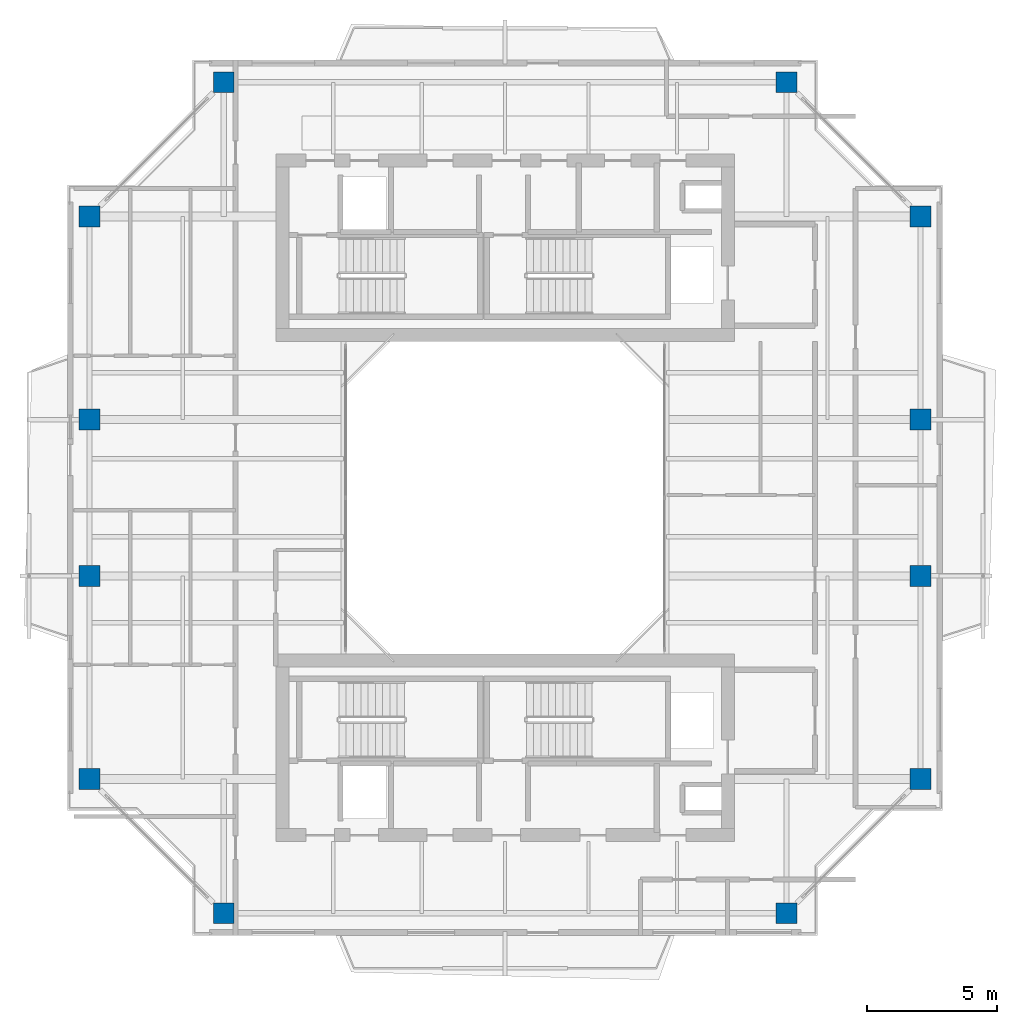
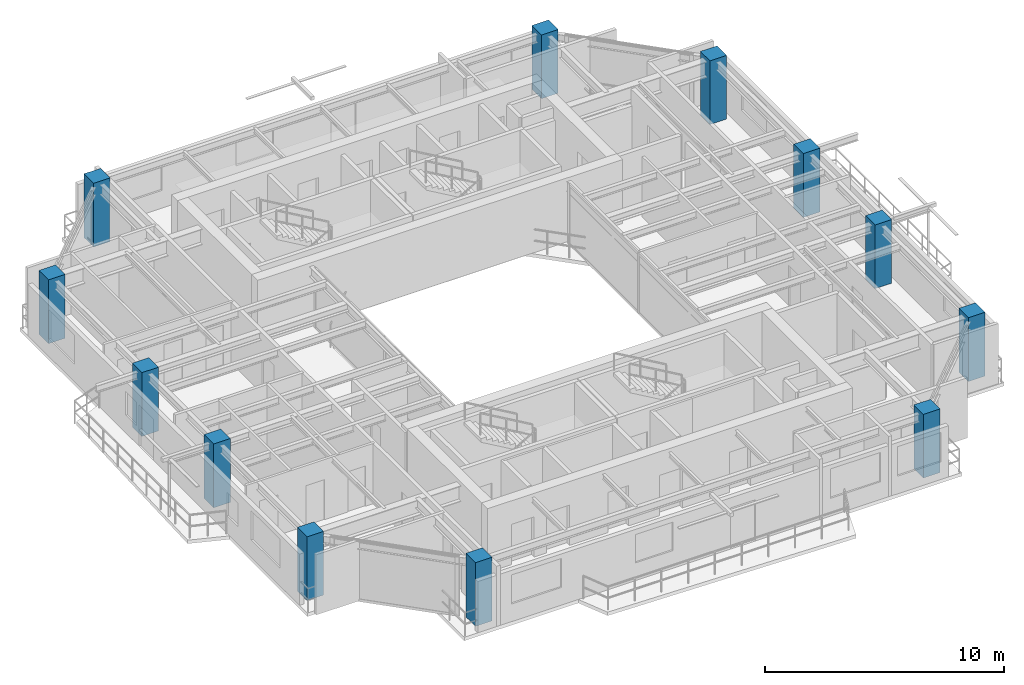
# One storey, part 1 of 16: 12 columns.
"""IFC4 building model written with IfcOpenShell, lengths in metres."""

from ifc_helpers import new_model, si_unit, direction, frame, origin, origin_2d, place, context, subcontext, project, spatial, rectangle, extrude, source, transform, mapped, material, material_profile, profile_set, type_object, element, save


model = new_model("IFC4")

# Units and contexts
model_context = context("Model", 3, precision=1e-05, world=origin(), true_north=direction((0.0, 1.0)))
body_context = subcontext(model_context, "Body", "Model", "MODEL_VIEW")
ifc_project = project(units=[si_unit("LENGTHUNIT", "METRE"), si_unit("AREAUNIT", "SQUARE_METRE"), si_unit("VOLUMEUNIT", "CUBIC_METRE"), si_unit("PLANEANGLEUNIT", "RADIAN"), si_unit("MASSUNIT", "GRAM", prefix="KILO"), si_unit("THERMODYNAMICTEMPERATUREUNIT", "KELVIN"), si_unit("POWERUNIT", "WATT")], contexts=[model_context])

# Site, building, storey
site_placement = place(None, origin())
site = spatial("IfcSite", under=ifc_project, at=site_placement, CompositionType="ELEMENT")
building_placement = place(site_placement, origin())
building = spatial("IfcBuilding", under=site, at=building_placement, Name="Qiaomeng Ring Towers", CompositionType="ELEMENT")
storey_placement = place(building_placement, frame((0.0, 0.0, 197.0)))
storey = spatial("IfcBuildingStorey", under=building, at=storey_placement, Name="L57", CompositionType="ELEMENT", Elevation=197.0)

# Columns
ifc_material = material(Name="Concrete C40", Category="concrete")
ifc_material_profile = material_profile(ifc_material, rectangle(XDim=0.800048828125, YDim=0.800048828125, at=origin_2d()), Name="RC COL 800x800")
ifc_profile_set = profile_set([ifc_material_profile], Name="Concrete C40")
column_type = type_object("IfcColumnType", Name="STR-COL-800-C40", PredefinedType="COLUMN", material=ifc_profile_set)
shared_shape = source(origin(), body_context, "Body", "SweptSolid", [
    extrude(rectangle(XDim=0.800048828125, YDim=0.800048828125, at=origin_2d()), origin(), (0.0, 0.0, 1.0), 3.25),
])
for number, where, z_axis, x_axis, name in (
    (1, (8.199951171875, 7.050048828125, 0.0), (0.0, 0.0, 1.0), (1.0, 0.0, 0.0), "L57 column STR-COL-L57-T1-S1"),
    (2, (29.800048828125, 7.050048828125, 0.0), (0.0, 0.0, 1.0), (1.0, 0.0, 0.0), "L57 column STR-COL-L57-T1-S2"),
    (3, (34.949951171875, 12.199951171875, 0.0), (0.0, 0.0, 1.0), (1.0, 0.0, 0.0), "L57 column STR-COL-L57-T1-E1"),
    (4, (34.949951171875, 20.0, 0.0), (0.0, 0.0, 1.0), (1.0, 0.0, 0.0), "L57 column STR-COL-L57-T1-E2"),
    (5, (34.949951171875, 26.0, 0.0), (0.0, 0.0, 1.0), (1.0, 0.0, 0.0), "L57 column STR-COL-L57-T1-E3"),
    (6, (34.949951171875, 33.800048828125, 0.0), (0.0, 0.0, 1.0), (1.0, 0.0, 0.0), "L57 column STR-COL-L57-T1-E4"),
    (7, (29.800048828125, 38.949951171875, 0.0), (0.0, 0.0, 1.0), (1.0, 0.0, 0.0), "L57 column STR-COL-L57-T1-N2"),
    (8, (8.199951171875, 38.949951171875, 0.0), (0.0, 0.0, 1.0), (1.0, 0.0, 0.0), "L57 column STR-COL-L57-T1-N1"),
    (9, (3.050048828125, 33.800048828125, 0.0), (0.0, 0.0, 1.0), (1.0, 0.0, 0.0), "L57 column STR-COL-L57-T1-W4"),
    (10, (3.050048828125, 26.0, 0.0), (0.0, 0.0, 1.0), (1.0, 0.0, 0.0), "L57 column STR-COL-L57-T1-W3"),
    (11, (3.050048828125, 20.0, 0.0), (0.0, 0.0, 1.0), (1.0, 0.0, 0.0), "L57 column STR-COL-L57-T1-W2"),
    (12, (3.050048828125, 12.199951171875, 0.0), (0.0, 0.0, 1.0), (1.0, 0.0, 0.0), "L57 column STR-COL-L57-T1-W1"),
):
    element("IfcColumn", number, at=place(storey_placement, frame(where, z_axis=z_axis, x_axis=x_axis)), inside=storey, type_object=column_type, Name=name, PredefinedType="COLUMN", context=body_context, shape_type="MappedRepresentation", body=[
        mapped(shared_shape, transform((0.0, 0.0, 0.0), x_axis=(1.0, 0.0, 0.0), y_axis=(0.0, 1.0, 0.0), z_axis=(0.0, 0.0, 1.0), scale=1.0)),
    ])

save(model, "model.ifc")
